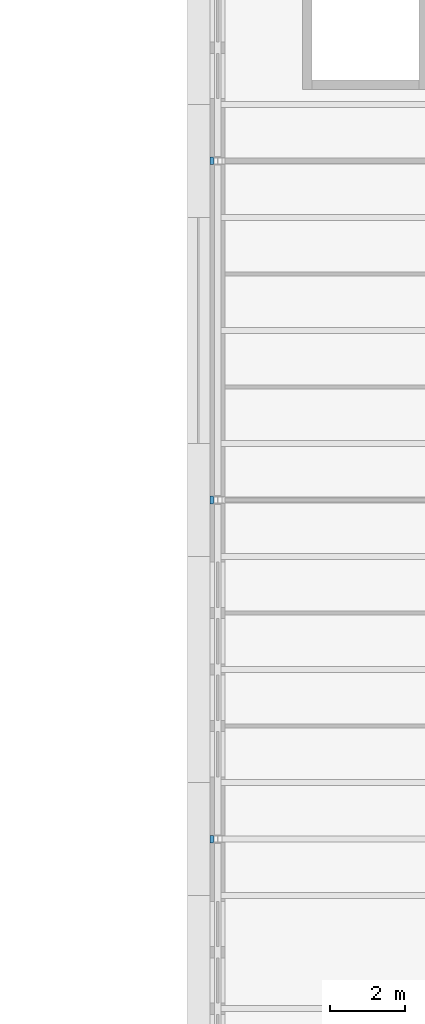
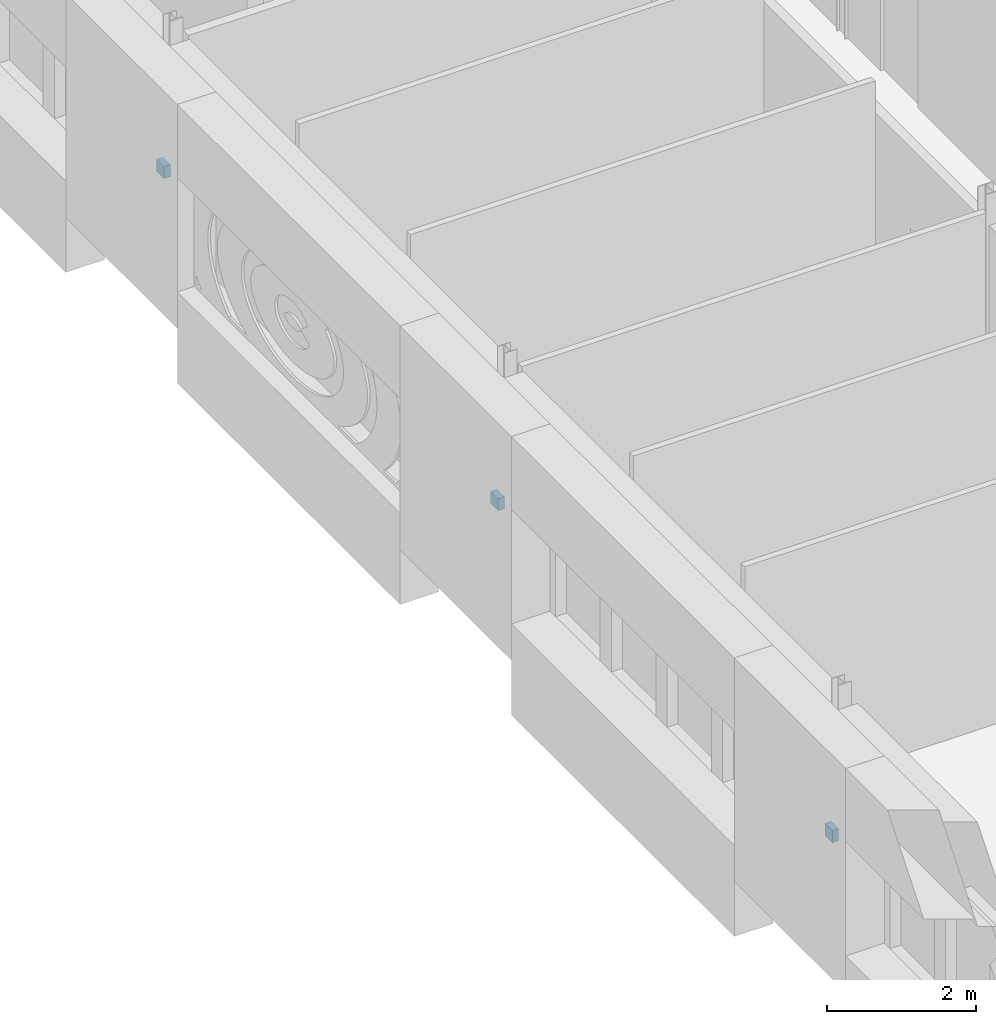
# One storey, part 122 of 154: 3 discrete accessories.
"""IFC4 building model written with IfcOpenShell, lengths in metres."""

import ifcopenshell
import ifcopenshell.guid

model = None  # the IFC model being written
_history = None  # IfcOwnerHistory: only IFC2X3 demands one
_inside = {}  # id of a spatial element -> (the spatial element, [elements in it])
_under = {}  # id of a project, library or spatial element -> (it, [spatial elements below it])
_declared = {}  # id of a project -> (the project, [libraries it declares])
_typed = {}  # id of a type object -> (the type object, [elements of that type])
_made_of = {}  # id of a material, layer set ... -> (it, [elements and type objects made of it])


def new_model(schema):
    """Start an empty IFC model of exactly this schema.

    Asked for "IFC4X3", IfcOpenShell would pick the latest addendum, in which some entities
    have other attributes; the version numbers below select the first issue.
    IFC2X3 requires an IfcOwnerHistory on every rooted entity: one is made here for all.
    """
    global model, _history
    if schema == "IFC4X3":
        model = ifcopenshell.file(schema_version=(4, 3, 0, 0))
    else:
        model = ifcopenshell.file(schema=schema)
    _inside.clear()
    _under.clear()
    _declared.clear()
    _typed.clear()
    _made_of.clear()
    _history = None
    if model.schema == "IFC2X3":
        org = make("IfcOrganization", Name="unknown")
        user = make(
            "IfcPersonAndOrganization",
            ThePerson=make("IfcPerson", FamilyName="unknown"),
            TheOrganization=org,
        )
        app = make(
            "IfcApplication",
            ApplicationDeveloper=org,
            Version="unknown",
            ApplicationFullName="unknown",
            ApplicationIdentifier="unknown",
        )
        _history = make(
            "IfcOwnerHistory",
            OwningUser=user,
            OwningApplication=app,
            ChangeAction="ADDED",
            CreationDate=0,
        )
    return model


def make(cls, **values):
    """One entity of the class cls with the attributes given. An attribute that is None is left unset."""
    return model.create_entity(
        cls, **{name: value for name, value in values.items() if value is not None}
    )


def rooted(cls, **values):
    """An entity with a GlobalId (a new one), such as an element, a storey or a relation."""
    return make(cls, GlobalId=ifcopenshell.guid.new(), OwnerHistory=_history, **values)


def si_unit(unit_type, name, prefix=None):
    """IfcSIUnit, for example si_unit("LENGTHUNIT", "METRE", prefix="MILLI")."""
    return make("IfcSIUnit", UnitType=unit_type, Prefix=prefix, Name=name)


def assignment(units):
    """IfcUnitAssignment: the units of a project."""
    return None if units is None else make("IfcUnitAssignment", Units=units)


def point(xyz):
    """IfcCartesianPoint."""
    return None if xyz is None else make("IfcCartesianPoint", Coordinates=xyz)


def direction(xyz):
    """IfcDirection."""
    return None if xyz is None else make("IfcDirection", DirectionRatios=xyz)


def frame(location, z_axis=None, x_axis=None):
    """IfcAxis2Placement3D, a coordinate frame: its origin and axes. An axis left out is left unset."""
    return make(
        "IfcAxis2Placement3D",
        Location=point(location),
        Axis=direction(z_axis),
        RefDirection=direction(x_axis),
    )


def frame_2d(location, x_axis=None):
    """IfcAxis2Placement2D, a coordinate frame in the plane: its origin and x axis."""
    return make(
        "IfcAxis2Placement2D", Location=point(location), RefDirection=direction(x_axis)
    )


def origin():
    """The frame at (0, 0, 0) with its axes left unset."""
    return frame((0.0, 0.0, 0.0))


def origin_2d():
    """The frame at (0, 0) in the plane with its x axis left unset."""
    return frame_2d((0.0, 0.0))


def place(relative_to, where):
    """IfcLocalPlacement: puts the frame where relative to a parent placement (None: the world)."""
    return make(
        "IfcLocalPlacement", PlacementRelTo=relative_to, RelativePlacement=where
    )


def context(
    kind, dimensions, precision=None, world=None, true_north=None, identifier=None
):
    """IfcGeometricRepresentationContext, for example the 3D "Model" context."""
    return make(
        "IfcGeometricRepresentationContext",
        ContextIdentifier=identifier,
        ContextType=kind,
        CoordinateSpaceDimension=dimensions,
        Precision=precision,
        WorldCoordinateSystem=world,
        TrueNorth=true_north,
    )


def subcontext(parent, identifier, kind, view, scale=None):
    """IfcGeometricRepresentationSubContext, for example "Body" below "Model"."""
    return make(
        "IfcGeometricRepresentationSubContext",
        ContextIdentifier=identifier,
        ContextType=kind,
        ParentContext=parent,
        TargetScale=scale,
        TargetView=view,
    )


def project(units=None, contexts=None):
    """IfcProject with its units and contexts."""
    return rooted(
        "IfcProject",
        Name="project",
        RepresentationContexts=contexts,
        UnitsInContext=assignment(units),
    )


def spatial(cls, under=None, at=None, **own):
    """A site, building, storey or space (cls), placed at a placement, below another one or the project."""
    s = rooted(cls, ObjectPlacement=at, **own)
    if under is not None:
        _under.setdefault(under.id(), (under, []))[1].append(s)
    return s


def profile(cls, at=None, kind="AREA", **sizes):
    """A parametric profile (cls). Its sizes go by their IFC names, for example OverallWidth=200.0."""
    return make(cls, ProfileType=kind, Position=at, **sizes)


def rectangle(**sizes):
    """IfcRectangleProfileDef."""
    return profile("IfcRectangleProfileDef", **sizes)


def extrude(swept, where, along, depth):
    """IfcExtrudedAreaSolid: the profile swept, set in the frame where, extruded along a direction by depth."""
    return make(
        "IfcExtrudedAreaSolid",
        SweptArea=swept,
        Position=where,
        ExtrudedDirection=direction(along),
        Depth=depth,
    )


def shape(context_of_items, identifier, shape_type, items):
    """IfcShapeRepresentation: the items that make up one representation, for example the "Body"."""
    return make(
        "IfcShapeRepresentation",
        ContextOfItems=context_of_items,
        RepresentationIdentifier=identifier,
        RepresentationType=shape_type,
        Items=items,
    )


def material(Name=None, Category=None):
    """IfcMaterial."""
    return make("IfcMaterial", Name=Name, Category=Category)


def made_of(thing, what):
    """Note that an element or type object is made of a material, layer set ...; save() writes the relation."""
    if what is not None:
        _made_of.setdefault(what.id(), (what, []))[1].append(thing)
    return thing


def type_object(cls, material=None, **own):
    """A type object (cls), such as IfcWallType, which elements share."""
    return made_of(rooted(cls, **own), material)


def element(
    cls,
    number,
    at=None,
    inside=None,
    cuts=None,
    type_object=None,
    material=None,
    context=None,
    identifier="Body",
    shape_type=None,
    held_by="IfcProductDefinitionShape",
    body=None,
    shapes=None,
    **own,
):
    """One element of the class cls, such as IfcWall. Its Tag is "e" and its number.

    at: its placement. inside: the storey or other place that contains it. cuts: it is an
    opening in that element (IfcRelVoidsElement). A single representation is given by context,
    identifier, shape_type and body (its items); several are given by shapes. held_by: the class
    of the entity that holds the representations. save() writes the other relations.
    """
    e = rooted(cls, Tag="e%d" % number, ObjectPlacement=at, **own)
    if body is not None:
        shapes = [shape(context, identifier, shape_type, body)]
    if shapes is not None:
        e.Representation = make(held_by, Representations=shapes)
    if inside is not None:
        _inside.setdefault(inside.id(), (inside, []))[1].append(e)
    if cuts is not None:
        rooted(
            "IfcRelVoidsElement", RelatingBuildingElement=cuts, RelatedOpeningElement=e
        )
    if type_object is not None:
        _typed.setdefault(type_object.id(), (type_object, []))[1].append(e)
    return made_of(e, material)


def aggregate(whole, parts):
    """IfcRelAggregates: a whole, such as a stair, and the parts it consists of."""
    return rooted("IfcRelAggregates", RelatingObject=whole, RelatedObjects=parts)


def save(model, path):
    """Write the relations noted so far, then the file.

    IfcRelAggregates (storeys below a building ...), IfcRelContainedInSpatialStructure (elements
    in a storey), IfcRelDefinesByType, IfcRelAssociatesMaterial and IfcRelDeclares: one each for
    every whole, place, type object, material and project.
    """
    for whole, parts in _under.values():
        aggregate(whole, parts)
    for where, things in _inside.values():
        rooted(
            "IfcRelContainedInSpatialStructure",
            RelatedElements=things,
            RelatingStructure=where,
        )
    for kind, things in _typed.values():
        rooted("IfcRelDefinesByType", RelatedObjects=things, RelatingType=kind)
    for what, things in _made_of.values():
        rooted("IfcRelAssociatesMaterial", RelatedObjects=things, RelatingMaterial=what)
    for by, libraries in _declared.values():
        rooted("IfcRelDeclares", RelatingContext=by, RelatedDefinitions=libraries)
    model.write(path)


model = new_model("IFC4")

# Units and contexts
model_context = context("Model", 3, precision=1e-05, world=origin(), true_north=direction((0.0, 1.0)))
body_context = subcontext(model_context, "Body", "Model", "MODEL_VIEW")
ifc_project = project(units=[si_unit("LENGTHUNIT", "METRE"), si_unit("AREAUNIT", "SQUARE_METRE"), si_unit("VOLUMEUNIT", "CUBIC_METRE"), si_unit("PLANEANGLEUNIT", "RADIAN"), si_unit("MASSUNIT", "GRAM", prefix="KILO")], contexts=[model_context])

# Site, building, storey
site_placement = place(None, origin())
site = spatial("IfcSite", under=ifc_project, at=site_placement, CompositionType="ELEMENT")
building_placement = place(site_placement, origin())
building = spatial("IfcBuilding", under=site, at=building_placement, Name="Golden Quay Civic Hall", CompositionType="ELEMENT")
storey_placement = place(building_placement, frame((0.0, 0.0, 14.39990234375)))
storey = spatial("IfcBuildingStorey", under=building, at=storey_placement, Name="L03", CompositionType="ELEMENT", Elevation=14.39990234375)

# Discrete accessories
ifc_material = material(Name="Steel S355", Category="steel")
discrete_accessory_type = type_object("IfcDiscreteAccessoryType", Name="Pier fixing bracket 200 x 200", PredefinedType="BRACKET", material=ifc_material)
for number, where, z_axis, x_axis, name in (
    (1, (53.85009765625, 27.0, 1.39990234375), (0.0, 0.0, 1.0), (0.0, -1.0, 0.0), "Pier fixing bracket 200 x 200 L03 15"),
    (2, (53.85009765625, 36.0, 1.39990234375), (0.0, 0.0, 1.0), (0.0, -1.0, 0.0), "Pier fixing bracket 200 x 200 L03 16"),
    (3, (53.85009765625, 45.0, 1.39990234375), (0.0, 0.0, 1.0), (0.0, -1.0, 0.0), "Pier fixing bracket 200 x 200 L03 17"),
):
    element("IfcDiscreteAccessory", number, at=place(storey_placement, frame(where, z_axis=z_axis, x_axis=x_axis)), inside=storey, type_object=discrete_accessory_type, Name=name, PredefinedType="BRACKET", context=body_context, shape_type="SweptSolid", body=[
        extrude(rectangle(XDim=0.199951171875, YDim=0.10009765625, at=origin_2d()), origin(), (0.0, 0.0, 1.0), 0.199951171875),
    ])

save(model, "model.ifc")
